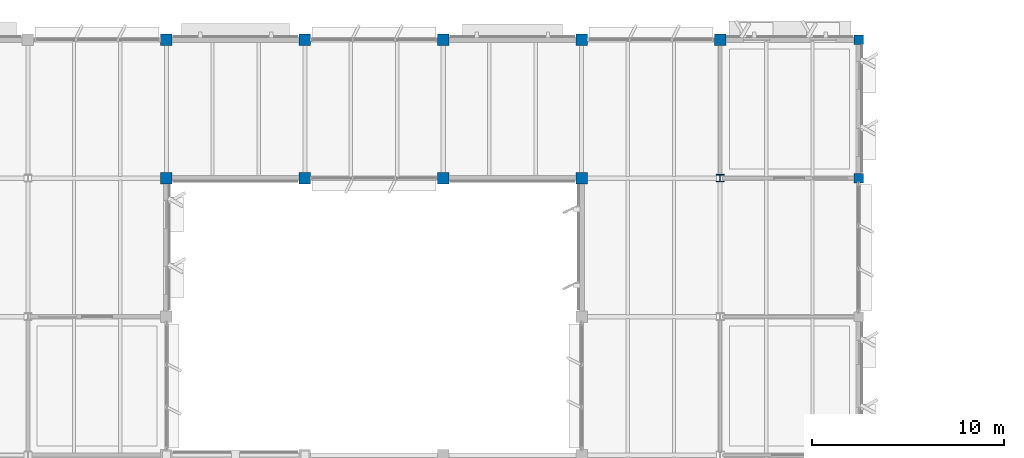
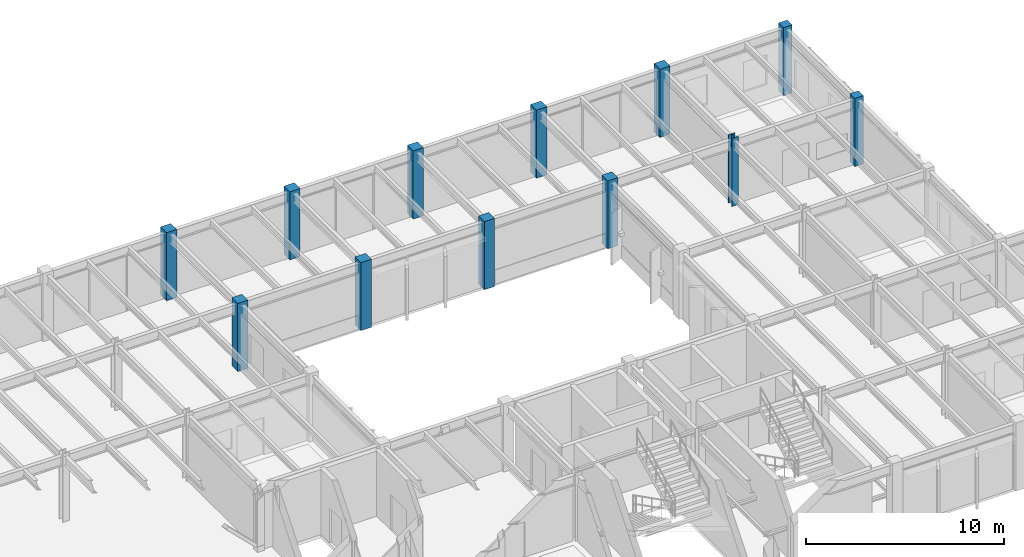
# One storey, part 13 of 85: 12 columns.
"""IFC4 building model written with IfcOpenShell, lengths in metres."""

from ifc_helpers import new_model, si_unit, direction, frame, origin, origin_2d, place, context, subcontext, project, spatial, rectangle, i_section, extrude, material, material_profile, profile_set, type_object, element, save


model = new_model("IFC4")

# Units and contexts
model_context = context("Model", 3, precision=1e-05, world=origin(), true_north=direction((0.0, 1.0)))
body_context = subcontext(model_context, "Body", "Model", "MODEL_VIEW")
ifc_project = project(units=[si_unit("LENGTHUNIT", "METRE"), si_unit("AREAUNIT", "SQUARE_METRE"), si_unit("VOLUMEUNIT", "CUBIC_METRE"), si_unit("PLANEANGLEUNIT", "RADIAN"), si_unit("MASSUNIT", "GRAM", prefix="KILO")], contexts=[model_context])

# Site, building, storey
site_placement = place(None, origin())
site = spatial("IfcSite", under=ifc_project, at=site_placement, CompositionType="ELEMENT")
building_placement = place(site_placement, origin())
building = spatial("IfcBuilding", under=site, at=building_placement, Name="Sillqori Civic Hall", CompositionType="ELEMENT")
storey_placement = place(building_placement, frame((0.0, 0.0, 9.89990234375)))
storey = spatial("IfcBuildingStorey", under=building, at=storey_placement, Name="L03", CompositionType="ELEMENT", Elevation=9.89990234375)

# Columns
ifc_material_1 = material(Name="Concrete C35/45 (H35)", Category="concrete")
ifc_material_profile_1 = material_profile(ifc_material_1, rectangle(XDim=0.5, YDim=0.5, at=origin_2d()), Name="RC 500x500")
ifc_profile_set_1 = profile_set([ifc_material_profile_1], Name="Concrete C35/45 (H35)")
column_type_1 = type_object("IfcColumnType", Name="COL-RC500", PredefinedType="COLUMN", material=ifc_profile_set_1)
for number, where, z_axis, x_axis, name in (
    (1, (108.0, 108.0, 0.0), (0.0, 0.0, 1.0), (1.0, 0.0, 0.0), "L03 column 15-15"),
    (2, (108.0, 115.199951171875, 0.0), (0.0, 0.0, 1.0), (1.0, 0.0, 0.0), "L03 column 15-16"),
):
    element("IfcColumn", number, at=place(storey_placement, frame(where, z_axis=z_axis, x_axis=x_axis)), inside=storey, type_object=column_type_1, Name=name, PredefinedType="COLUMN", context=body_context, shape_type="SweptSolid", body=[
        extrude(rectangle(XDim=0.5, YDim=0.5, at=origin_2d()), origin(), (0.0, 0.0, 1.0), 4.2001953125),
    ])
ifc_material_profile_2 = material_profile(ifc_material_1, rectangle(XDim=0.60009765625, YDim=0.60009765625, at=origin_2d()), Name="RC 600x600")
ifc_profile_set_2 = profile_set([ifc_material_profile_2], Name="Concrete C35/45 (H35)")
column_type_2 = type_object("IfcColumnType", Name="COL-RC600", PredefinedType="COLUMN", material=ifc_profile_set_2)
for number, where, z_axis, x_axis, name in (
    (3, (72.0, 108.0, 0.0), (0.0, 0.0, 1.0), (1.0, 0.0, 0.0), "L03 column 10-15"),
    (4, (72.0, 115.199951171875, 0.0), (0.0, 0.0, 1.0), (1.0, 0.0, 0.0), "L03 column 10-16"),
    (5, (79.199951171875, 108.0, 0.0), (0.0, 0.0, 1.0), (1.0, 0.0, 0.0), "L03 column 11-15"),
    (6, (79.199951171875, 115.199951171875, 0.0), (0.0, 0.0, 1.0), (1.0, 0.0, 0.0), "L03 column 11-16"),
    (7, (86.39990234375, 108.0, 0.0), (0.0, 0.0, 1.0), (1.0, 0.0, 0.0), "L03 column 12-15"),
    (8, (86.39990234375, 115.199951171875, 0.0), (0.0, 0.0, 1.0), (1.0, 0.0, 0.0), "L03 column 12-16"),
    (9, (93.60009765625, 108.0, 0.0), (0.0, 0.0, 1.0), (1.0, 0.0, 0.0), "L03 column 13-15"),
    (10, (93.60009765625, 115.199951171875, 0.0), (0.0, 0.0, 1.0), (1.0, 0.0, 0.0), "L03 column 13-16"),
    (11, (100.800048828125, 115.199951171875, 0.0), (0.0, 0.0, 1.0), (1.0, 0.0, 0.0), "L03 column 14-16"),
):
    element("IfcColumn", number, at=place(storey_placement, frame(where, z_axis=z_axis, x_axis=x_axis)), inside=storey, type_object=column_type_2, Name=name, PredefinedType="COLUMN", context=body_context, shape_type="SweptSolid", body=[
        extrude(rectangle(XDim=0.60009765625, YDim=0.60009765625, at=origin_2d()), origin(), (0.0, 0.0, 1.0), 4.2001953125),
    ])
ifc_material_2 = material(Name="Steel ASTM A992", Category="steel")
ifc_material_profile_3 = material_profile(ifc_material_2, i_section(OverallWidth=0.39892578125, OverallDepth=0.385986328125, WebThickness=0.02099609375, FlangeThickness=0.033203125, FilletRadius=0.014892578125, at=origin_2d()), Name="W14X176")
ifc_profile_set_3 = profile_set([ifc_material_profile_3], Name="Steel ASTM A992")
column_type_3 = type_object("IfcColumnType", Name="COL-W14X176", PredefinedType="COLUMN", material=ifc_profile_set_3)
column_placement = place(storey_placement, frame((100.800048828125, 108.0, 0.0), z_axis=(0.0, 0.0, 1.0), x_axis=(1.0, 0.0, 0.0)))
element("IfcColumn", 12, at=column_placement, inside=storey, type_object=column_type_3, Name="L03 column 14-15", PredefinedType="COLUMN", context=body_context, shape_type="SweptSolid", body=[
    extrude(i_section(OverallWidth=0.39892578125, OverallDepth=0.385986328125, WebThickness=0.02099609375, FlangeThickness=0.033203125, FilletRadius=0.014892578125, at=origin_2d()), origin(), (0.0, 0.0, 1.0), 4.2001953125),
])

save(model, "model.ifc")
